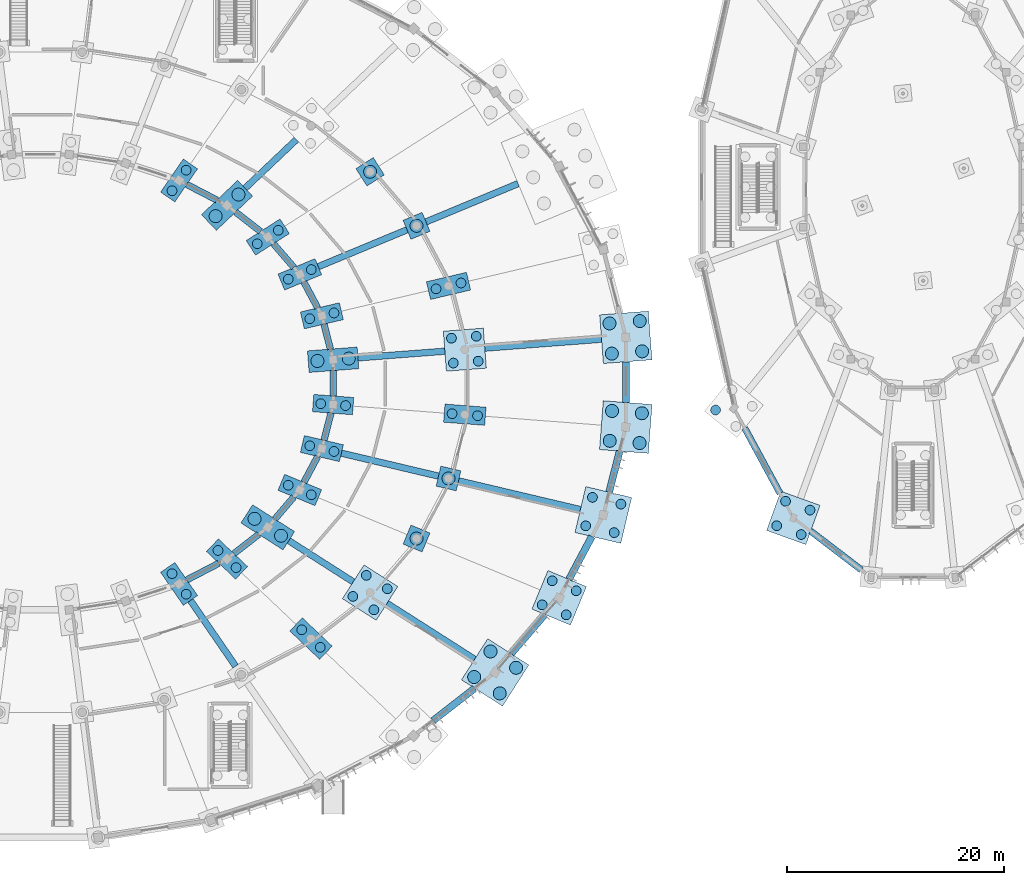
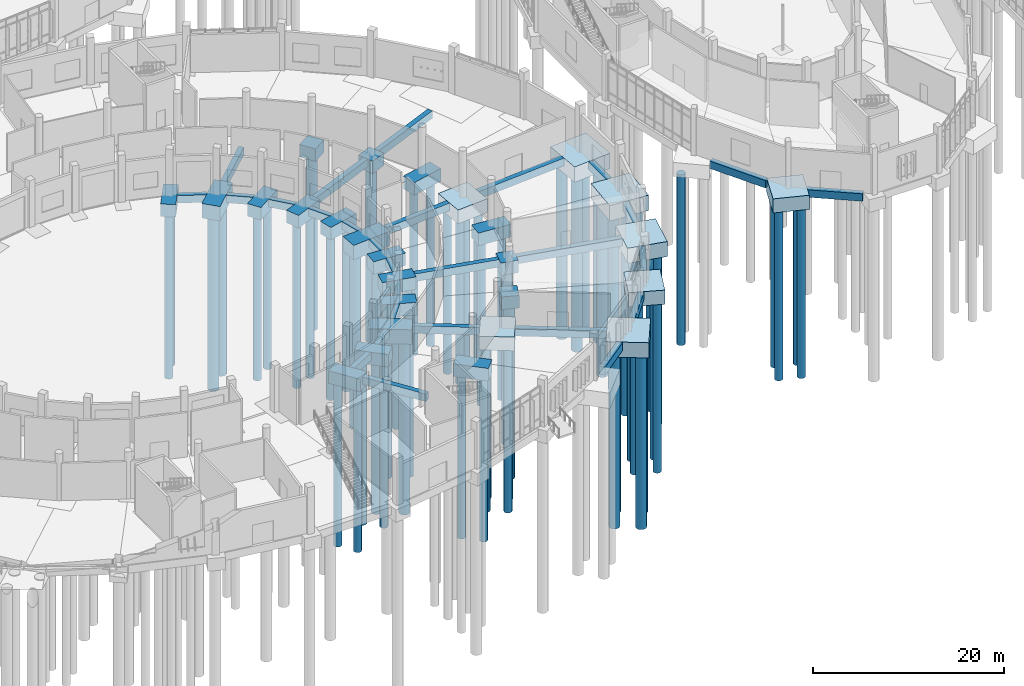
# One storey, part 7 of 140: 67 piles, 55 footings.
"""IFC4 building model written with IfcOpenShell, lengths in metres."""

from ifc_helpers import new_model, si_unit, direction, frame, origin, origin_2d, place, context, subcontext, project, spatial, rectangle, circle, extrude, material, layer, layer_set, material_profile, profile_set, type_object, element, save


model = new_model("IFC4")

# Units and contexts
model_context = context("Model", 3, precision=1e-05, world=origin(), true_north=direction((0.0, 1.0)))
body_context = subcontext(model_context, "Body", "Model", "MODEL_VIEW")
ifc_project = project(units=[si_unit("LENGTHUNIT", "METRE"), si_unit("AREAUNIT", "SQUARE_METRE"), si_unit("VOLUMEUNIT", "CUBIC_METRE"), si_unit("PLANEANGLEUNIT", "RADIAN"), si_unit("MASSUNIT", "GRAM", prefix="KILO")], contexts=[model_context])

# Site, building, storey
site_placement = place(None, origin())
site = spatial("IfcSite", under=ifc_project, at=site_placement, CompositionType="ELEMENT")
building_placement = place(site_placement, origin())
building = spatial("IfcBuilding", under=site, at=building_placement, Name="Corvandel Quay Wholesale Market", CompositionType="ELEMENT")
storey_placement = place(building_placement, origin())
storey = spatial("IfcBuildingStorey", under=building, at=storey_placement, Name="L00", CompositionType="ELEMENT", Elevation=0.0)

# Piles
ifc_material = material(Name="Concrete C40/50", Category="concrete")
ifc_material_profile_1 = material_profile(ifc_material, circle(Radius=0.60009765625, at=origin_2d()), Name="RC-PILE-D1200")
ifc_profile_set_1 = profile_set([ifc_material_profile_1], Name="Concrete C40/50")
pile_type_1 = type_object("IfcPileType", Name="Bored Pile D1200 L22.2", PredefinedType="BORED", material=ifc_profile_set_1)
for number, where, z_axis, x_axis, name in (
    (1, (169.5029296875, 44.847900390625, -1.85009765625), (0.0, 0.0, -1.0), (1.0, 0.0, 0.0), "Bored Pile PIL-0125"),
    (2, (169.2890625, 47.639892578125, -1.85009765625), (0.0, 0.0, -1.0), (1.0, 0.0, 0.0), "Bored Pile PIL-0126"),
    (3, (166.7109375, 44.634033203125, -1.85009765625), (0.0, 0.0, -1.0), (1.0, 0.0, 0.0), "Bored Pile PIL-0127"),
    (4, (166.4970703125, 47.426025390625, -1.85009765625), (0.0, 0.0, -1.0), (1.0, 0.0, 0.0), "Bored Pile PIL-0128"),
    (5, (142.446044921875, 44.178955078125, -1.75), (0.0, 0.0, -1.0), (1.0, 0.0, 0.0), "Bored Pile PIL-0133"),
    (6, (139.553955078125, 43.95703125, -1.75), (0.0, 0.0, -1.0), (1.0, 0.0, 0.0), "Bored Pile PIL-0134"),
    (7, (148.694091796875, 56.423095703125, -1.5), (0.0, 0.0, -1.0), (1.0, 0.0, 0.0), "Bored Pile PIL-0149"),
    (8, (144.409912109375, 61.410888671875, -1.5), (0.0, 0.0, -1.0), (1.0, 0.0, 0.0), "Bored Pile PIL-0156"),
    (9, (132.262939453125, 59.30908203125, -1.75), (0.0, 0.0, -1.0), (1.0, 0.0, 0.0), "Bored Pile PIL-0167"),
    (10, (130.158935546875, 57.31494140625, -1.75), (0.0, 0.0, -1.0), (1.0, 0.0, 0.0), "Bored Pile PIL-0168"),
    (11, (156.3720703125, 13.2939453125, -1.85009765625), (0.0, 0.0, -1.0), (1.0, 0.0, 0.0), "Bored Pile PIL-0303"),
    (12, (157.8779296875, 15.654052734375, -1.85009765625), (0.0, 0.0, -1.0), (1.0, 0.0, 0.0), "Bored Pile PIL-0304"),
    (13, (154.011962890625, 14.800048828125, -1.85009765625), (0.0, 0.0, -1.0), (1.0, 0.0, 0.0), "Bored Pile PIL-0305"),
    (14, (155.51806640625, 17.159912109375, -1.85009765625), (0.0, 0.0, -1.0), (1.0, 0.0, 0.0), "Bored Pile PIL-0306"),
    (15, (136.194091796875, 27.8330078125, -1.75), (0.0, 0.0, -1.0), (1.0, 0.0, 0.0), "Bored Pile PIL-0311"),
    (16, (133.75, 29.39306640625, -1.75), (0.0, 0.0, -1.0), (1.0, 0.0, 0.0), "Bored Pile PIL-0312"),
    (17, (148.694091796875, 27.576904296875, -1.5), (0.0, 0.0, -1.0), (1.0, 0.0, 0.0), "Bored Pile PIL-0317"),
    (18, (151.64501953125, 33.117919921875, -1.5), (0.0, 0.0, -1.0), (1.0, 0.0, 0.0), "Bored Pile PIL-0324"),
    (19, (169.27099609375, 36.382080078125, -1.860107421875), (0.0, 0.0, -1.0), (1.0, 0.0, 0.0), "Bored Pile PIL-0327"),
    (20, (169.48095703125, 39.134033203125, -1.860107421875), (0.0, 0.0, -1.0), (1.0, 0.0, 0.0), "Bored Pile PIL-0328"),
    (21, (166.51904296875, 36.592041015625, -1.860107421875), (0.0, 0.0, -1.0), (1.0, 0.0, 0.0), "Bored Pile PIL-0329"),
    (22, (166.72900390625, 39.343994140625, -1.860107421875), (0.0, 0.0, -1.0), (1.0, 0.0, 0.0), "Bored Pile PIL-0330"),
):
    element("IfcPile", number, at=place(storey_placement, frame(where, z_axis=z_axis, x_axis=x_axis)), inside=storey, type_object=pile_type_1, Name=name, PredefinedType="BORED", context=body_context, shape_type="SweptSolid", body=[
        extrude(circle(Radius=0.60009765625, at=origin_2d()), origin(), (0.0, 0.0, 1.0), 22.199951171875),
    ])
ifc_material_profile_2 = material_profile(ifc_material, circle(Radius=0.449951171875, at=origin_2d()), Name="RC-PILE-D900")
ifc_profile_set_2 = profile_set([ifc_material_profile_2], Name="Concrete C40/50")
pile_type_2 = type_object("IfcPileType", Name="Bored Pile D900 L21.0", PredefinedType="BORED", material=ifc_profile_set_2)
for number, where, z_axis, x_axis, name in (
    (23, (154.384033203125, 43.93994140625, -1.64990234375), (0.0, 0.0, -1.0), (1.0, 0.0, 0.0), "Bored Pile PIL-0129"),
    (24, (154.208984375, 46.23291015625, -1.64990234375), (0.0, 0.0, -1.0), (1.0, 0.0, 0.0), "Bored Pile PIL-0130"),
    (25, (152.091064453125, 43.764892578125, -1.64990234375), (0.0, 0.0, -1.0), (1.0, 0.0, 0.0), "Bored Pile PIL-0131"),
    (26, (151.916015625, 46.05810546875, -1.64990234375), (0.0, 0.0, -1.0), (1.0, 0.0, 0.0), "Bored Pile PIL-0132"),
    (27, (152.79296875, 51.153076171875, -1.52001953125), (0.0, 0.0, -1.0), (1.0, 0.0, 0.0), "Bored Pile PIL-0139"),
    (28, (150.4970703125, 50.611083984375, -1.52001953125), (0.0, 0.0, -1.0), (1.0, 0.0, 0.0), "Bored Pile PIL-0140"),
    (29, (141.0810546875, 48.388916015625, -1.5), (0.0, 0.0, -1.0), (1.0, 0.0, 0.0), "Bored Pile PIL-0141"),
    (30, (138.843017578125, 47.861083984375, -1.5), (0.0, 0.0, -1.0), (1.0, 0.0, 0.0), "Bored Pile PIL-0142"),
    (31, (138.989013671875, 52.387939453125, -1.5), (0.0, 0.0, -1.0), (1.0, 0.0, 0.0), "Bored Pile PIL-0150"),
    (32, (136.864990234375, 51.506103515625, -1.5), (0.0, 0.0, -1.0), (1.0, 0.0, 0.0), "Bored Pile PIL-0151"),
    (33, (135.94091796875, 56.006103515625, -1.5), (0.0, 0.0, -1.0), (1.0, 0.0, 0.0), "Bored Pile PIL-0157"),
    (34, (134.0029296875, 54.76806640625, -1.5), (0.0, 0.0, -1.0), (1.0, 0.0, 0.0), "Bored Pile PIL-0158"),
    (35, (127.43994140625, 61.55810546875, -1.5), (0.0, 0.0, -1.0), (1.0, 0.0, 0.0), "Bored Pile PIL-0171"),
    (36, (126.137939453125, 59.662109375, -1.5), (0.0, 0.0, -1.0), (1.0, 0.0, 0.0), "Bored Pile PIL-0172"),
    (37, (127.43994140625, 22.44189453125, -1.5), (0.0, 0.0, -1.0), (1.0, 0.0, 0.0), "Bored Pile PIL-0293"),
    (38, (126.137939453125, 24.337890625, -1.5), (0.0, 0.0, -1.0), (1.0, 0.0, 0.0), "Bored Pile PIL-0294"),
    (39, (139.81396484375, 17.535888671875, -1.52001953125), (0.0, 0.0, -1.0), (1.0, 0.0, 0.0), "Bored Pile PIL-0299"),
    (40, (138.10009765625, 19.159912109375, -1.52001953125), (0.0, 0.0, -1.0), (1.0, 0.0, 0.0), "Bored Pile PIL-0300"),
    (41, (132.0458984375, 24.89697265625, -1.5), (0.0, 0.0, -1.0), (1.0, 0.0, 0.0), "Bored Pile PIL-0301"),
    (42, (130.3759765625, 26.47900390625, -1.5), (0.0, 0.0, -1.0), (1.0, 0.0, 0.0), "Bored Pile PIL-0302"),
    (43, (144.760986328125, 21.0009765625, -1.64990234375), (0.0, 0.0, -1.0), (1.0, 0.0, 0.0), "Bored Pile PIL-0307"),
    (44, (145.998046875, 22.93994140625, -1.64990234375), (0.0, 0.0, -1.0), (1.0, 0.0, 0.0), "Bored Pile PIL-0308"),
    (45, (142.822021484375, 22.238037109375, -1.64990234375), (0.0, 0.0, -1.0), (1.0, 0.0, 0.0), "Bored Pile PIL-0309"),
    (46, (144.05908203125, 24.177001953125, -1.64990234375), (0.0, 0.0, -1.0), (1.0, 0.0, 0.0), "Bored Pile PIL-0310"),
    (47, (138.989013671875, 31.612060546875, -1.5), (0.0, 0.0, -1.0), (1.0, 0.0, 0.0), "Bored Pile PIL-0318"),
    (48, (136.864990234375, 32.493896484375, -1.5), (0.0, 0.0, -1.0), (1.0, 0.0, 0.0), "Bored Pile PIL-0319"),
    (49, (141.0810546875, 35.611083984375, -1.5), (0.0, 0.0, -1.0), (1.0, 0.0, 0.0), "Bored Pile PIL-0325"),
    (50, (138.843017578125, 36.138916015625, -1.5), (0.0, 0.0, -1.0), (1.0, 0.0, 0.0), "Bored Pile PIL-0326"),
    (51, (154.326904296875, 38.910888671875, -1.52001953125), (0.0, 0.0, -1.0), (1.0, 0.0, 0.0), "Bored Pile PIL-0331"),
    (52, (151.972900390625, 39.091064453125, -1.52001953125), (0.0, 0.0, -1.0), (1.0, 0.0, 0.0), "Bored Pile PIL-0332"),
    (53, (142.14697265625, 39.843994140625, -1.5), (0.0, 0.0, -1.0), (1.0, 0.0, 0.0), "Bored Pile PIL-0333"),
    (54, (139.85302734375, 40.02001953125, -1.5), (0.0, 0.0, -1.0), (1.0, 0.0, 0.0), "Bored Pile PIL-0334"),
):
    element("IfcPile", number, at=place(storey_placement, frame(where, z_axis=z_axis, x_axis=x_axis)), inside=storey, type_object=pile_type_2, Name=name, PredefinedType="BORED", context=body_context, shape_type="SweptSolid", body=[
        extrude(circle(Radius=0.449951171875, at=origin_2d()), origin(), (0.0, 0.0, 1.0), 21.0),
    ])
ifc_material_profile_3 = material_profile(ifc_material, circle(Radius=0.449951171875, at=origin_2d()), Name="RC-PILE-D900")
ifc_profile_set_3 = profile_set([ifc_material_profile_3], Name="Concrete C40/50")
pile_type_3 = type_object("IfcPileType", Name="Bored Pile D900 L21.8", PredefinedType="BORED", material=ifc_profile_set_3)
for number, where, z_axis, x_axis, name in (
    (55, (162.501953125, 20.537109375, -1.699951171875), (0.0, 0.0, -1.0), (1.0, 0.0, 0.0), "Bored Pile PIL-0313"),
    (56, (163.423095703125, 22.75390625, -1.699951171875), (0.0, 0.0, -1.0), (1.0, 0.0, 0.0), "Bored Pile PIL-0314"),
    (57, (160.284912109375, 21.4580078125, -1.699951171875), (0.0, 0.0, -1.0), (1.0, 0.0, 0.0), "Bored Pile PIL-0315"),
    (58, (161.2060546875, 23.675048828125, -1.699951171875), (0.0, 0.0, -1.0), (1.0, 0.0, 0.0), "Bored Pile PIL-0316"),
    (59, (166.928955078125, 28.125, -1.820068359375), (0.0, 0.0, -1.0), (1.0, 0.0, 0.0), "Bored Pile PIL-0320"),
    (60, (167.549072265625, 30.7529296875, -1.820068359375), (0.0, 0.0, -1.0), (1.0, 0.0, 0.0), "Bored Pile PIL-0321"),
    (61, (164.301025390625, 28.7451171875, -1.820068359375), (0.0, 0.0, -1.0), (1.0, 0.0, 0.0), "Bored Pile PIL-0322"),
    (62, (164.9208984375, 31.373046875, -1.820068359375), (0.0, 0.0, -1.0), (1.0, 0.0, 0.0), "Bored Pile PIL-0323"),
    (63, (176.281005859375, 39.430908203125, -1.699951171875), (0.0, 0.0, -1.0), (1.0, 0.0, 0.0), "Bored Pile PIL-0539"),
    (64, (184.990966796875, 30.200927734375, -1.699951171875), (0.0, 0.0, -1.0), (1.0, 0.0, 0.0), "Bored Pile PIL-0542"),
    (65, (182.73388671875, 31.01806640625, -1.699951171875), (0.0, 0.0, -1.0), (1.0, 0.0, 0.0), "Bored Pile PIL-0543"),
    (66, (184.174072265625, 27.944091796875, -1.699951171875), (0.0, 0.0, -1.0), (1.0, 0.0, 0.0), "Bored Pile PIL-0544"),
    (67, (181.9169921875, 28.760986328125, -1.699951171875), (0.0, 0.0, -1.0), (1.0, 0.0, 0.0), "Bored Pile PIL-0545"),
):
    element("IfcPile", number, at=place(storey_placement, frame(where, z_axis=z_axis, x_axis=x_axis)), inside=storey, type_object=pile_type_3, Name=name, PredefinedType="BORED", context=body_context, shape_type="SweptSolid", body=[
        extrude(circle(Radius=0.449951171875, at=origin_2d()), origin(), (0.0, 0.0, 1.0), 21.800048828125),
    ])

# Footings
ifc_layer_1 = layer(ifc_material, 1.60009765625)
ifc_layer_set_1 = layer_set([ifc_layer_1], Name="Concrete C40/50")
footing_type_1 = type_object("IfcFootingType", Name="Pile Cap PC01 1600x3700x1600", PredefinedType="PILE_CAP", material=ifc_layer_set_1)
for number, where, z_axis, x_axis, name in (
    (68, (139.9619140625, 48.125, -1.60009765625), (0.0, 0.0, 1.0), (-0.229710019669, 0.973259115993, 0.0), "Pile Cap FND-0028"),
    (69, (137.927001953125, 51.947021484375, -1.60009765625), (0.0, 0.0, 1.0), (-0.383811878264, 0.923411307113, 0.0), "Pile Cap FND-0031"),
    (70, (134.971923828125, 55.386962890625, -1.60009765625), (0.0, 0.0, 1.0), (-0.538035401546, 0.842922242371, 0.0), "Pile Cap FND-0034"),
    (71, (126.7890625, 60.610107421875, -1.60009765625), (0.0, 0.0, 1.0), (-0.824126188622, 0.566406236925, 0.0), "Pile Cap FND-0040"),
    (72, (126.7890625, 23.389892578125, -1.60009765625), (0.0, 0.0, 1.0), (0.824126188622, 0.566406236925, 0.0), "Pile Cap FND-0103"),
    (73, (131.2109375, 25.68798828125, -1.60009765625), (0.0, 0.0, 1.0), (0.687848001144, 0.725854756355, 0.0), "Pile Cap FND-0106"),
    (74, (137.927001953125, 32.052978515625, -1.60009765625), (0.0, 0.0, 1.0), (0.383811878264, 0.923411307113, 0.0), "Pile Cap FND-0112"),
    (75, (139.9619140625, 35.875, -1.60009765625), (0.0, 0.0, 1.0), (0.229710019669, 0.973259115993, 0.0), "Pile Cap FND-0115"),
    (76, (141.0, 39.931884765625, -1.60009765625), (0.0, 0.0, 1.0), (0.076370986393, 0.997079471475, 0.0), "Pile Cap FND-0118"),
):
    element("IfcFooting", number, at=place(storey_placement, frame(where, z_axis=z_axis, x_axis=x_axis)), inside=storey, type_object=footing_type_1, Name=name, PredefinedType="PILE_CAP", context=body_context, shape_type="SweptSolid", body=[
        extrude(rectangle(XDim=1.60009765625, YDim=3.699951171875, at=origin_2d()), origin(), (0.0, 0.0, 1.0), 1.60009765625),
    ])
ifc_layer_2 = layer(ifc_material, 1.75)
ifc_layer_set_2 = layer_set([ifc_layer_2], Name="Concrete C40/50")
footing_type_2 = type_object("IfcFootingType", Name="Pile Cap PC05 3700x3700x1750", PredefinedType="PILE_CAP", material=ifc_layer_set_2)
for number, where, z_axis, x_axis, name in (
    (77, (153.14990234375, 44.9990234375, -1.75), (0.0, 0.0, 1.0), (-0.076370986393, 0.997079471475, 0.0), "Pile Cap FND-0024"),
    (78, (144.409912109375, 22.589111328125, -1.75), (0.0, 0.0, 1.0), (0.538035401546, 0.842922242371, 0.0), "Pile Cap FND-0108"),
):
    element("IfcFooting", number, at=place(storey_placement, frame(where, z_axis=z_axis, x_axis=x_axis)), inside=storey, type_object=footing_type_2, Name=name, PredefinedType="PILE_CAP", context=body_context, shape_type="SweptSolid", body=[
        extrude(rectangle(XDim=3.699951171875, YDim=3.699951171875, at=origin_2d()), origin(), (0.0, 0.0, 1.0), 1.75),
    ])
ifc_layer_3 = layer(ifc_material, 1.800048828125)
ifc_layer_set_3 = layer_set([ifc_layer_3], Name="Concrete C40/50")
footing_type_3 = type_object("IfcFootingType", Name="Pile Cap PC06 3850x3850x1800", PredefinedType="PILE_CAP", material=ifc_layer_set_3)
for number, where, z_axis, x_axis, name in (
    (79, (161.85400390625, 22.10595703125, -1.7998046875), (0.0, 0.0, 1.0), (0.383811878264, 0.923411307113, 0.0), "Pile Cap FND-0110"),
    (80, (183.4541015625, 29.48095703125, -1.7998046875), (0.0, 0.0, 1.0), (-0.94028812701, 0.340379550213, 0.0), "Pile Cap FND-0358"),
):
    element("IfcFooting", number, at=place(storey_placement, frame(where, z_axis=z_axis, x_axis=x_axis)), inside=storey, type_object=footing_type_3, Name=name, PredefinedType="PILE_CAP", context=body_context, shape_type="SweptSolid", body=[
        extrude(rectangle(XDim=3.85009765625, YDim=3.85009765625, at=origin_2d()), origin(), (0.0, 0.0, 1.0), 1.800048828125),
    ])
ifc_layer_4 = layer(ifc_material, 1.85009765625)
ifc_layer_set_4 = layer_set([ifc_layer_4], Name="Concrete C40/50")
footing_type_4 = type_object("IfcFootingType", Name="Pile Cap PC09 2000x4600x1850", PredefinedType="PILE_CAP", material=ifc_layer_set_4)
for number, where, z_axis, x_axis, name in (
    (81, (141.0, 44.068115234375, -1.85009765625), (0.0, 0.0, 1.0), (-0.076370986393, 0.997079471475, 0.0), "Pile Cap FND-0025"),
    (82, (131.2109375, 58.31201171875, -1.85009765625), (0.0, 0.0, 1.0), (-0.687848001144, 0.725854756355, 0.0), "Pile Cap FND-0037"),
    (83, (134.971923828125, 28.613037109375, -1.85009765625), (0.0, 0.0, 1.0), (0.538035401546, 0.842922242371, 0.0), "Pile Cap FND-0109"),
):
    element("IfcFooting", number, at=place(storey_placement, frame(where, z_axis=z_axis, x_axis=x_axis)), inside=storey, type_object=footing_type_4, Name=name, PredefinedType="PILE_CAP", context=body_context, shape_type="SweptSolid", body=[
        extrude(rectangle(XDim=2.0, YDim=4.60009765625, at=origin_2d()), origin(), (0.0, 0.0, 1.0), 1.85009765625),
    ])
ifc_layer_5 = layer(ifc_material, 1.949951171875)
ifc_layer_set_5 = layer_set([ifc_layer_5], Name="Concrete C40/50")
footing_type_5 = type_object("IfcFootingType", Name="Pile Cap PC11 4500x4500x1950", PredefinedType="PILE_CAP", material=ifc_layer_set_5)
for number, where, z_axis, x_axis, name in (
    (84, (168.0, 46.136962890625, -1.9501953125), (0.0, 0.0, 1.0), (-0.076370986393, 0.997079471475, 0.0), "Pile Cap FND-0023"),
    (85, (155.945068359375, 15.22705078125, -1.9501953125), (0.0, 0.0, 1.0), (0.538035401546, 0.842922242371, 0.0), "Pile Cap FND-0107"),
):
    element("IfcFooting", number, at=place(storey_placement, frame(where, z_axis=z_axis, x_axis=x_axis)), inside=storey, type_object=footing_type_5, Name=name, PredefinedType="PILE_CAP", context=body_context, shape_type="SweptSolid", body=[
        extrude(rectangle(XDim=4.5, YDim=4.5, at=origin_2d()), origin(), (0.0, 0.0, 1.0), 1.949951171875),
    ])
ifc_layer_6 = layer(ifc_material, 1.60009765625)
ifc_layer_set_6 = layer_set([ifc_layer_6], Name="Concrete C40/50")
footing_type_6 = type_object("IfcFootingType", Name="Pile Cap PC16 1900x1900x1600", PredefinedType="PILE_CAP", material=ifc_layer_set_6)
for number, where, z_axis, x_axis, name in (
    (86, (148.694091796875, 56.423095703125, -1.60009765625), (0.0, 0.0, 1.0), (-0.383811878264, 0.923411307113, 0.0), "Pile Cap FND-0030"),
    (87, (144.409912109375, 61.410888671875, -1.60009765625), (0.0, 0.0, 1.0), (-0.538035401546, 0.842922242371, 0.0), "Pile Cap FND-0033"),
    (88, (148.694091796875, 27.576904296875, -1.60009765625), (0.0, 0.0, 1.0), (0.383811878264, 0.923411307113, 0.0), "Pile Cap FND-0111"),
    (89, (151.64501953125, 33.117919921875, -1.60009765625), (0.0, 0.0, 1.0), (0.229710019669, 0.973259115993, 0.0), "Pile Cap FND-0114"),
):
    element("IfcFooting", number, at=place(storey_placement, frame(where, z_axis=z_axis, x_axis=x_axis)), inside=storey, type_object=footing_type_6, Name=name, PredefinedType="PILE_CAP", context=body_context, shape_type="SweptSolid", body=[
        extrude(rectangle(XDim=1.89990234375, YDim=1.89990234375, at=origin_2d()), origin(), (0.0, 0.0, 1.0), 1.60009765625),
    ])
ifc_layer_7 = layer(ifc_material, 1.6201171875)
ifc_layer_set_7 = layer_set([ifc_layer_7], Name="Concrete C40/50")
footing_type_7 = type_object("IfcFootingType", Name="Pile Cap PC21 1680x3800x1620", PredefinedType="PILE_CAP", material=ifc_layer_set_7)
for number, where, z_axis, x_axis, name in (
    (90, (151.64501953125, 50.882080078125, -1.6201171875), (0.0, 0.0, 1.0), (-0.229710019669, 0.973259115993, 0.0), "Pile Cap FND-0027"),
    (91, (138.95703125, 18.347900390625, -1.6201171875), (0.0, 0.0, 1.0), (0.687848001144, 0.725854756355, 0.0), "Pile Cap FND-0105"),
    (92, (153.14990234375, 39.0009765625, -1.6201171875), (0.0, 0.0, 1.0), (0.076370986393, 0.997079471475, 0.0), "Pile Cap FND-0117"),
):
    element("IfcFooting", number, at=place(storey_placement, frame(where, z_axis=z_axis, x_axis=x_axis)), inside=storey, type_object=footing_type_7, Name=name, PredefinedType="PILE_CAP", context=body_context, shape_type="SweptSolid", body=[
        extrude(rectangle(XDim=1.679931640625, YDim=3.800048828125, at=origin_2d()), origin(), (0.0, 0.0, 1.0), 1.6201171875),
    ])
ifc_layer_8 = layer(ifc_material, 1.919921875)
ifc_layer_set_8 = layer_set([ifc_layer_8], Name="Concrete C40/50")
footing_type_8 = type_object("IfcFootingType", Name="Pile Cap PC22 4350x4350x1920", PredefinedType="PILE_CAP", material=ifc_layer_set_8)
footing_1_placement = place(storey_placement, frame((165.925048828125, 29.7490234375, -1.919921875), z_axis=(0.0, 0.0, 1.0), x_axis=(0.229710019669, 0.973259115993, 0.0)))
element("IfcFooting", 93, at=footing_1_placement, inside=storey, type_object=footing_type_8, Name="Pile Cap FND-0113", PredefinedType="PILE_CAP", context=body_context, shape_type="SweptSolid", body=[
    extrude(rectangle(XDim=4.35009765625, YDim=4.35009765625, at=origin_2d()), origin(), (0.0, 0.0, 1.0), 1.919921875),
])
ifc_layer_9 = layer(ifc_material, 1.9599609375)
ifc_layer_set_9 = layer_set([ifc_layer_9], Name="Concrete C40/50")
footing_type_9 = type_object("IfcFootingType", Name="Pile Cap PC23 4520x4520x1960", PredefinedType="PILE_CAP", material=ifc_layer_set_9)
footing_2_placement = place(storey_placement, frame((168.0, 37.863037109375, -1.9599609375), z_axis=(0.0, 0.0, 1.0), x_axis=(0.076370986393, 0.997079471475, 0.0)))
element("IfcFooting", 94, at=footing_2_placement, inside=storey, type_object=footing_type_9, Name="Pile Cap FND-0116", PredefinedType="PILE_CAP", context=body_context, shape_type="SweptSolid", body=[
    extrude(rectangle(XDim=4.52001953125, YDim=4.52001953125, at=origin_2d()), origin(), (0.0, 0.0, 1.0), 1.9599609375),
])
ifc_layer_10 = layer(ifc_material, 0.949951171875)
ifc_layer_set_10 = layer_set([ifc_layer_10], Name="Concrete C40/50")
footing_type_10 = type_object("IfcFootingType", Name="Seismic Tie Beam GB01 600x950", PredefinedType="FOOTING_BEAM", material=ifc_layer_set_10)
footing_3_placement = place(storey_placement, frame((140.4541015625, 46.200927734375, -0.9501953125), z_axis=(0.0, 0.0, 1.0), x_axis=(-0.247844544316, 0.968799815159, 0.0)))
element("IfcFooting", 95, at=footing_3_placement, inside=storey, type_object=footing_type_10, Name="Grade Beam FND-0120", PredefinedType="FOOTING_BEAM", context=body_context, shape_type="SweptSolid", body=[
    extrude(rectangle(XDim=2.3720703125, YDim=0.60009765625, at=origin_2d()), origin(), (0.0, 0.0, 1.0), 0.949951171875),
])
footing_4_placement = place(storey_placement, frame((160.3759765625, 45.552978515625, -0.9501953125), z_axis=(0.0, 0.0, 1.0), x_axis=(0.997079471475, 0.076370986393, 0.0)))
element("IfcFooting", 96, at=footing_4_placement, inside=storey, type_object=footing_type_10, Name="Grade Beam FND-0121", PredefinedType="FOOTING_BEAM", context=body_context, shape_type="SweptSolid", body=[
    extrude(rectangle(XDim=10.7939453125, YDim=0.60009765625, at=origin_2d()), origin(), (0.0, 0.0, 1.0), 0.949951171875),
])
footing_5_placement = place(storey_placement, frame((147.299072265625, 44.551025390625, -0.9501953125), z_axis=(0.0, 0.0, 1.0), x_axis=(0.997079471475, 0.076370986393, 0.0)))
element("IfcFooting", 97, at=footing_5_placement, inside=storey, type_object=footing_type_10, Name="Grade Beam FND-0122", PredefinedType="FOOTING_BEAM", context=body_context, shape_type="SweptSolid", body=[
    extrude(rectangle(XDim=8.035888671875, YDim=0.60009765625, at=origin_2d()), origin(), (0.0, 0.0, 1.0), 0.949951171875),
])
footing_6_placement = place(storey_placement, frame((138.93896484375, 50.0458984375, -0.9501953125), z_axis=(0.0, 0.0, 1.0), x_axis=(-0.469933808689, 0.882701657102, 0.0)))
element("IfcFooting", 98, at=footing_6_placement, inside=storey, type_object=footing_type_10, Name="Grade Beam FND-0124", PredefinedType="FOOTING_BEAM", context=body_context, shape_type="SweptSolid", body=[
    extrude(rectangle(XDim=2.698974609375, YDim=0.60009765625, at=origin_2d()), origin(), (0.0, 0.0, 1.0), 0.949951171875),
])
footing_7_placement = place(storey_placement, frame((136.43896484375, 53.679931640625, -0.9501953125), z_axis=(0.0, 0.0, 1.0), x_axis=(-0.651568967347, 0.758589401976, 0.0)))
element("IfcFooting", 99, at=footing_7_placement, inside=storey, type_object=footing_type_10, Name="Grade Beam FND-0126", PredefinedType="FOOTING_BEAM", context=body_context, shape_type="SweptSolid", body=[
    extrude(rectangle(XDim=2.885009765625, YDim=0.60009765625, at=origin_2d()), origin(), (0.0, 0.0, 1.0), 0.949951171875),
])
footing_8_placement = place(storey_placement, frame((153.820068359375, 58.553955078125, -0.9501953125), z_axis=(0.0, 0.0, 1.0), x_axis=(0.923411307113, 0.383811878264, 0.0)))
element("IfcFooting", 100, at=footing_8_placement, inside=storey, type_object=footing_type_10, Name="Grade Beam FND-0127", PredefinedType="FOOTING_BEAM", context=body_context, shape_type="SweptSolid", body=[
    extrude(rectangle(XDim=9.201904296875, YDim=0.60009765625, at=origin_2d()), origin(), (0.0, 0.0, 1.0), 0.949951171875),
])
footing_9_placement = place(storey_placement, frame((143.72607421875, 54.35791015625, -0.9501953125), z_axis=(0.0, 0.0, 1.0), x_axis=(0.923411307113, 0.383811878264, 0.0)))
element("IfcFooting", 101, at=footing_9_placement, inside=storey, type_object=footing_type_10, Name="Grade Beam FND-0128", PredefinedType="FOOTING_BEAM", context=body_context, shape_type="SweptSolid", body=[
    extrude(rectangle(XDim=8.860107421875, YDim=0.60009765625, at=origin_2d()), origin(), (0.0, 0.0, 1.0), 0.949951171875),
])
footing_10_placement = place(storey_placement, frame((133.156005859375, 56.800048828125, -0.9501953125), z_axis=(0.0, 0.0, 1.0), x_axis=(-0.789405615633, 0.613871952452, 0.0)))
element("IfcFooting", 102, at=footing_10_placement, inside=storey, type_object=footing_type_10, Name="Grade Beam FND-0130", PredefinedType="FOOTING_BEAM", context=body_context, shape_type="SweptSolid", body=[
    extrude(rectangle(XDim=2.904052734375, YDim=0.60009765625, at=origin_2d()), origin(), (0.0, 0.0, 1.0), 0.949951171875),
])
footing_11_placement = place(storey_placement, frame((128.887939453125, 59.51904296875, -0.9501953125), z_axis=(0.0, 0.0, 1.0), x_axis=(-0.887332978338, 0.461129250378, 0.0)))
element("IfcFooting", 103, at=footing_11_placement, inside=storey, type_object=footing_type_10, Name="Grade Beam FND-0132", PredefinedType="FOOTING_BEAM", context=body_context, shape_type="SweptSolid", body=[
    extrude(rectangle(XDim=3.118896484375, YDim=0.60009765625, at=origin_2d()), origin(), (0.0, 0.0, 1.0), 0.949951171875),
])
footing_12_placement = place(storey_placement, frame((135.2470703125, 62.136962890625, -0.9501953125), z_axis=(0.0, 0.0, 1.0), x_axis=(0.725854756355, 0.687848001144, 0.0)))
element("IfcFooting", 104, at=footing_12_placement, inside=storey, type_object=footing_type_10, Name="Grade Beam FND-0134", PredefinedType="FOOTING_BEAM", context=body_context, shape_type="SweptSolid", body=[
    extrude(rectangle(XDim=6.52099609375, YDim=0.60009765625, at=origin_2d()), origin(), (0.0, 0.0, 1.0), 0.949951171875),
])
footing_13_placement = place(storey_placement, frame((128.98193359375, 24.530029296875, -0.9501953125), z_axis=(0.0, 0.0, 1.0), x_axis=(0.887332978338, 0.461129250378, 0.0)))
element("IfcFooting", 105, at=footing_13_placement, inside=storey, type_object=footing_type_10, Name="Grade Beam FND-0198", PredefinedType="FOOTING_BEAM", context=body_context, shape_type="SweptSolid", body=[
    extrude(rectangle(XDim=3.3310546875, YDim=0.60009765625, at=origin_2d()), origin(), (0.0, 0.0, 1.0), 0.949951171875),
])
footing_14_placement = place(storey_placement, frame((129.9208984375, 18.83203125, -0.9501953125), z_axis=(0.0, 0.0, 1.0), x_axis=(-0.566406236925, 0.824126188622, 0.0)))
element("IfcFooting", 106, at=footing_14_placement, inside=storey, type_object=footing_type_10, Name="Grade Beam FND-0200", PredefinedType="FOOTING_BEAM", context=body_context, shape_type="SweptSolid", body=[
    extrude(rectangle(XDim=7.361083984375, YDim=0.60009765625, at=origin_2d()), origin(), (0.0, 0.0, 1.0), 0.949951171875),
])
footing_15_placement = place(storey_placement, frame((132.991943359375, 27.072998046875, -0.9501953125), z_axis=(0.0, 0.0, 1.0), x_axis=(0.789405615633, 0.613871952452, 0.0)))
element("IfcFooting", 107, at=footing_15_placement, inside=storey, type_object=footing_type_10, Name="Grade Beam FND-0202", PredefinedType="FOOTING_BEAM", context=body_context, shape_type="SweptSolid", body=[
    extrude(rectangle(XDim=2.89404296875, YDim=0.60009765625, at=origin_2d()), origin(), (0.0, 0.0, 1.0), 0.949951171875),
])
footing_16_placement = place(storey_placement, frame((136.50390625, 30.39697265625, -0.9501953125), z_axis=(0.0, 0.0, 1.0), x_axis=(0.651568967347, 0.758589401976, 0.0)))
element("IfcFooting", 108, at=footing_16_placement, inside=storey, type_object=footing_type_10, Name="Grade Beam FND-0204", PredefinedType="FOOTING_BEAM", context=body_context, shape_type="SweptSolid", body=[
    extrude(rectangle(XDim=2.68310546875, YDim=0.60009765625, at=origin_2d()), origin(), (0.0, 0.0, 1.0), 0.949951171875),
])
footing_17_placement = place(storey_placement, frame((150.009033203125, 19.01611328125, -0.9501953125), z_axis=(0.0, 0.0, 1.0), x_axis=(-0.842922242371, 0.538035401546, 0.0)))
element("IfcFooting", 109, at=footing_17_placement, inside=storey, type_object=footing_type_10, Name="Grade Beam FND-0205", PredefinedType="FOOTING_BEAM", context=body_context, shape_type="SweptSolid", body=[
    extrude(rectangle(XDim=9.583984375, YDim=0.60009765625, at=origin_2d()), origin(), (0.0, 0.0, 1.0), 0.949951171875),
])
footing_18_placement = place(storey_placement, frame((139.881103515625, 25.47998046875, -0.9501953125), z_axis=(0.0, 0.0, 1.0), x_axis=(-0.842922242371, 0.538035401546, 0.0)))
element("IfcFooting", 110, at=footing_18_placement, inside=storey, type_object=footing_type_10, Name="Grade Beam FND-0206", PredefinedType="FOOTING_BEAM", context=body_context, shape_type="SweptSolid", body=[
    extrude(rectangle(XDim=7.047119140625, YDim=0.60009765625, at=origin_2d()), origin(), (0.0, 0.0, 1.0), 0.949951171875),
])
footing_19_placement = place(storey_placement, frame((138.93896484375, 33.9541015625, -0.9501953125), z_axis=(0.0, 0.0, 1.0), x_axis=(0.469933808689, 0.882701657102, 0.0)))
element("IfcFooting", 111, at=footing_19_placement, inside=storey, type_object=footing_type_10, Name="Grade Beam FND-0208", PredefinedType="FOOTING_BEAM", context=body_context, shape_type="SweptSolid", body=[
    extrude(rectangle(XDim=2.698974609375, YDim=0.60009765625, at=origin_2d()), origin(), (0.0, 0.0, 1.0), 0.949951171875),
])
footing_20_placement = place(storey_placement, frame((140.47998046875, 37.89794921875, -0.9501953125), z_axis=(0.0, 0.0, 1.0), x_axis=(0.247844544316, 0.968799815159, 0.0)))
element("IfcFooting", 112, at=footing_20_placement, inside=storey, type_object=footing_type_10, Name="Grade Beam FND-0210", PredefinedType="FOOTING_BEAM", context=body_context, shape_type="SweptSolid", body=[
    extrude(rectangle(XDim=2.574951171875, YDim=0.60009765625, at=origin_2d()), origin(), (0.0, 0.0, 1.0), 0.949951171875),
])
footing_21_placement = place(storey_placement, frame((158.18896484375, 31.573974609375, -0.9501953125), z_axis=(0.0, 0.0, 1.0), x_axis=(-0.973259115993, 0.229710019669, 0.0)))
element("IfcFooting", 113, at=footing_21_placement, inside=storey, type_object=footing_type_10, Name="Grade Beam FND-0211", PredefinedType="FOOTING_BEAM", context=body_context, shape_type="SweptSolid", body=[
    extrude(rectangle(XDim=11.547119140625, YDim=0.60009765625, at=origin_2d()), origin(), (0.0, 0.0, 1.0), 0.949951171875),
])
footing_22_placement = place(storey_placement, frame((146.240966796875, 34.39306640625, -0.9501953125), z_axis=(0.0, 0.0, 1.0), x_axis=(-0.973259115993, 0.229710019669, 0.0)))
element("IfcFooting", 114, at=footing_22_placement, inside=storey, type_object=footing_type_10, Name="Grade Beam FND-0212", PredefinedType="FOOTING_BEAM", context=body_context, shape_type="SweptSolid", body=[
    extrude(rectangle(XDim=9.2041015625, YDim=0.60009765625, at=origin_2d()), origin(), (0.0, 0.0, 1.0), 0.949951171875),
])
footing_23_placement = place(storey_placement, frame((141.0, 41.89990234375, -0.9501953125), z_axis=(0.0, 0.0, 1.0), x_axis=(0.0, 1.0, 0.0)))
element("IfcFooting", 115, at=footing_23_placement, inside=storey, type_object=footing_type_10, Name="Grade Beam FND-0214", PredefinedType="FOOTING_BEAM", context=body_context, shape_type="SweptSolid", body=[
    extrude(rectangle(XDim=2.3310546875, YDim=0.60009765625, at=origin_2d()), origin(), (0.0, 0.0, 1.0), 0.949951171875),
])
footing_24_placement = place(storey_placement, frame((180.593994140625, 34.760986328125, -0.9501953125), z_axis=(0.0, 0.0, 1.0), x_axis=(-0.476238203668, 0.879316310191, 0.0)))
element("IfcFooting", 116, at=footing_24_placement, inside=storey, type_object=footing_type_10, Name="Grade Beam FND-0389", PredefinedType="FOOTING_BEAM", context=body_context, shape_type="SweptSolid", body=[
    extrude(rectangle(XDim=6.85595703125, YDim=0.60009765625, at=origin_2d()), origin(), (0.0, 0.0, 1.0), 0.949951171875),
])
footing_25_placement = place(storey_placement, frame((187.39794921875, 26.465087890625, -0.9501953125), z_axis=(0.0, 0.0, 1.0), x_axis=(-0.794308601354, 0.607514481979, 0.0)))
element("IfcFooting", 117, at=footing_25_placement, inside=storey, type_object=footing_type_10, Name="Grade Beam FND-0391", PredefinedType="FOOTING_BEAM", context=body_context, shape_type="SweptSolid", body=[
    extrude(rectangle(XDim=5.89306640625, YDim=0.60009765625, at=origin_2d()), origin(), (0.0, 0.0, 1.0), 0.949951171875),
])
ifc_layer_11 = layer(ifc_material, 1.0)
ifc_layer_set_11 = layer_set([ifc_layer_11], Name="Concrete C40/50")
footing_type_11 = type_object("IfcFootingType", Name="Seismic Tie Beam GB02 650x1000", PredefinedType="FOOTING_BEAM", material=ifc_layer_set_11)
footing_26_placement = place(storey_placement, frame((152.14404296875, 12.27001953125, -1.0), z_axis=(0.0, 0.0, 1.0), x_axis=(0.789298462742, 0.614009720373, 0.0)))
element("IfcFooting", 118, at=footing_26_placement, inside=storey, type_object=footing_type_11, Name="Grade Beam FND-0201", PredefinedType="FOOTING_BEAM", context=body_context, shape_type="SweptSolid", body=[
    extrude(rectangle(XDim=4.85595703125, YDim=0.64990234375, at=origin_2d()), origin(), (0.0, 0.0, 1.0), 1.0),
])
footing_27_placement = place(storey_placement, frame((158.97998046875, 18.760009765625, -1.0), z_axis=(0.0, 0.0, 1.0), x_axis=(0.651568967347, 0.758589401976, 0.0)))
element("IfcFooting", 119, at=footing_27_placement, inside=storey, type_object=footing_type_11, Name="Grade Beam FND-0203", PredefinedType="FOOTING_BEAM", context=body_context, shape_type="SweptSolid", body=[
    extrude(rectangle(XDim=4.77099609375, YDim=0.64990234375, at=origin_2d()), origin(), (0.0, 0.0, 1.0), 1.0),
])
footing_28_placement = place(storey_placement, frame((163.81494140625, 25.7880859375, -1.0), z_axis=(0.0, 0.0, 1.0), x_axis=(0.470087862033, 0.882619624736, 0.0)))
element("IfcFooting", 120, at=footing_28_placement, inside=storey, type_object=footing_type_11, Name="Grade Beam FND-0207", PredefinedType="FOOTING_BEAM", context=body_context, shape_type="SweptSolid", body=[
    extrude(rectangle(XDim=4.47705078125, YDim=0.64990234375, at=origin_2d()), origin(), (0.0, 0.0, 1.0), 1.0),
])
footing_29_placement = place(storey_placement, frame((166.947998046875, 33.748046875, -1.0), z_axis=(0.0, 0.0, 1.0), x_axis=(0.247675453076, 0.968843057437, 0.0)))
element("IfcFooting", 121, at=footing_29_placement, inside=storey, type_object=footing_type_11, Name="Grade Beam FND-0209", PredefinedType="FOOTING_BEAM", context=body_context, shape_type="SweptSolid", body=[
    extrude(rectangle(XDim=3.905029296875, YDim=0.64990234375, at=origin_2d()), origin(), (0.0, 0.0, 1.0), 1.0),
])
footing_30_placement = place(storey_placement, frame((168.0, 42.0048828125, -1.0), z_axis=(0.0, 0.0, 1.0), x_axis=(0.0, 1.0, 0.0)))
element("IfcFooting", 122, at=footing_30_placement, inside=storey, type_object=footing_type_11, Name="Grade Beam FND-0213", PredefinedType="FOOTING_BEAM", context=body_context, shape_type="SweptSolid", body=[
    extrude(rectangle(XDim=3.7509765625, YDim=0.64990234375, at=origin_2d()), origin(), (0.0, 0.0, 1.0), 1.0),
])

save(model, "model.ifc")
